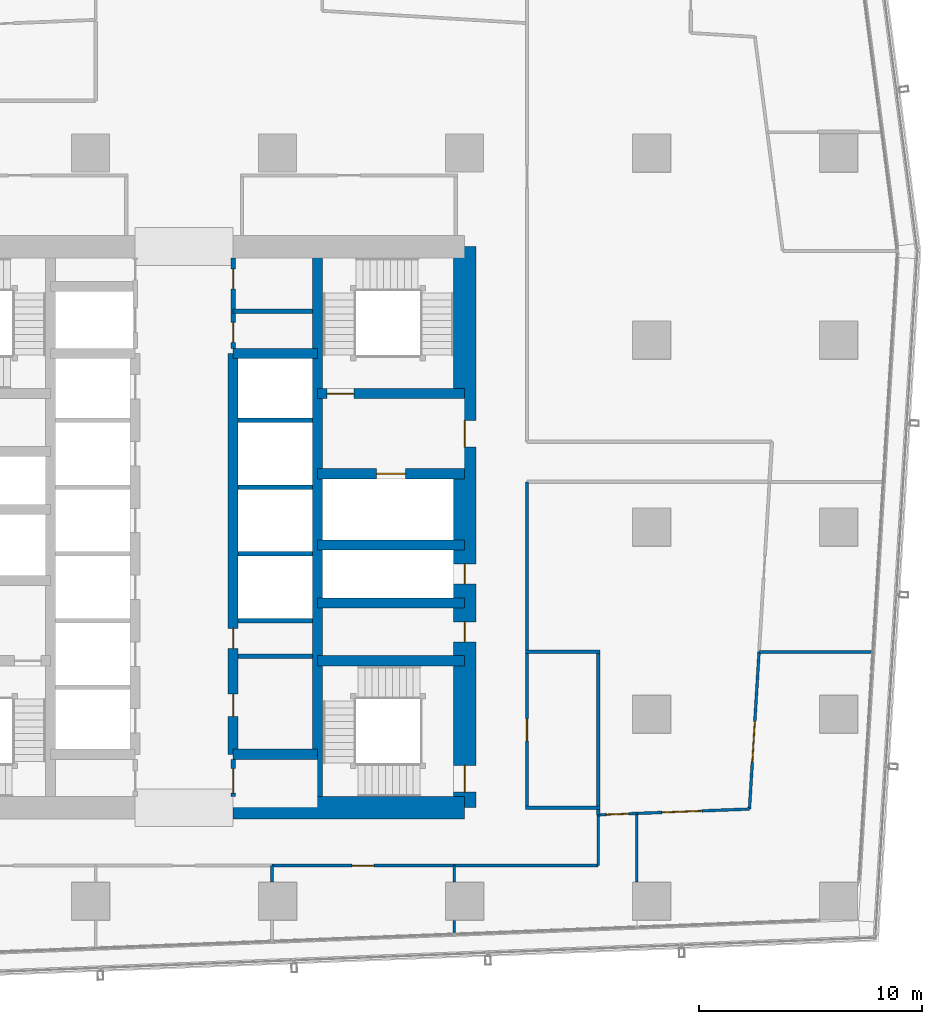
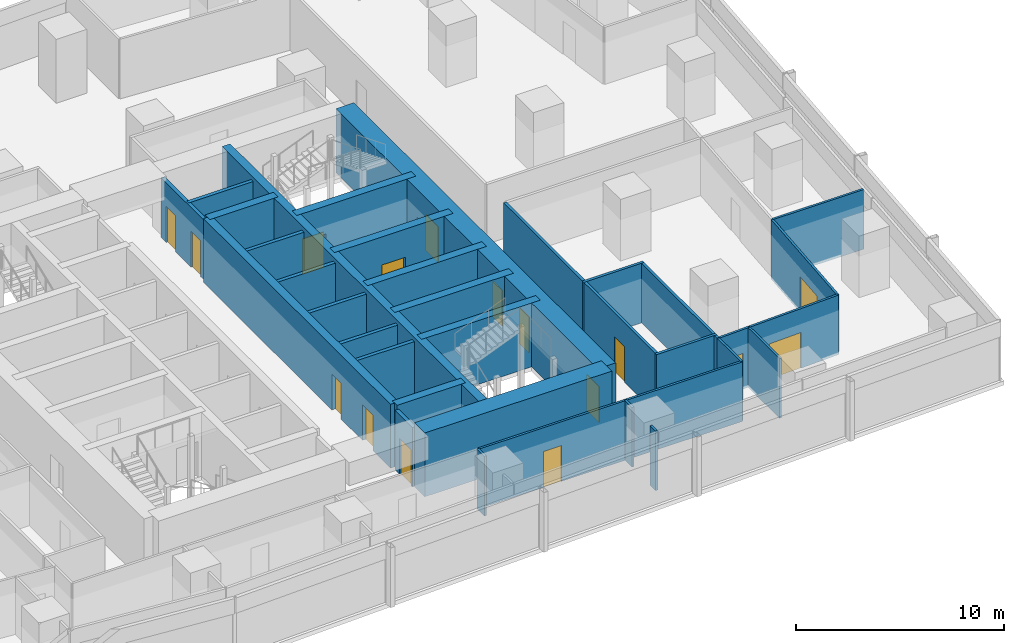
# One storey, part 30 of 40: 36 walls, 16 doors, 16 openings.
"""IFC4 building model written with IfcOpenShell, lengths in metres."""

from ifc_helpers import new_model, si_unit, direction, frame, frame_2d, origin, place, context, subcontext, project, spatial, rectangle, extrude, material, layer, layer_set, type_object, element, fill, save


model = new_model("IFC4")

# Units and contexts
model_context = context("Model", 3, precision=1e-05, world=origin(), true_north=direction((0.0, 1.0)))
body_context = subcontext(model_context, "Body", "Model", "MODEL_VIEW")
ifc_project = project(units=[si_unit("LENGTHUNIT", "METRE"), si_unit("AREAUNIT", "SQUARE_METRE"), si_unit("VOLUMEUNIT", "CUBIC_METRE"), si_unit("PLANEANGLEUNIT", "RADIAN"), si_unit("MASSUNIT", "GRAM", prefix="KILO")], contexts=[model_context])

# Site, building, storey
site_placement = place(None, origin())
site = spatial("IfcSite", under=ifc_project, at=site_placement, CompositionType="ELEMENT")
building_placement = place(site_placement, origin())
building = spatial("IfcBuilding", under=site, at=building_placement, Name="Rekha Terrace Tower", CompositionType="ELEMENT")
storey_placement = place(building_placement, frame((0.0, 0.0, 132.800048828125)))
storey = spatial("IfcBuildingStorey", under=building, at=storey_placement, Name="L33", CompositionType="ELEMENT", Elevation=132.800048828125)

# Wall
ifc_material_1 = material(Name="Concrete M70", Category="concrete")
ifc_layer_1 = layer(ifc_material_1, 0.449951171875)
ifc_layer_set_1 = layer_set([ifc_layer_1], Name="Concrete M70")
wall_type_1 = type_object("IfcWallType", Name="CI2 450 core internal shear wall", PredefinedType="SHEAR", material=ifc_layer_set_1)
wall_1_placement = place(storey_placement, frame((43.800048828125, 21.0, 0.0), z_axis=(0.0, 0.0, 1.0), x_axis=(0.0, 1.0, 0.0)))
element("IfcWall", 1, at=wall_1_placement, inside=storey, type_object=wall_type_1, Name="Core wall X438 L33", PredefinedType="SHEAR", context=body_context, shape_type="SweptSolid", body=[
    extrude(rectangle(XDim=25.199951171875, YDim=0.449951171875, at=frame_2d((12.60009765625, 0.0))), origin(), (0.0, 0.0, 1.0), 3.75),
])

# Wall, openings, doors
wall_2_placement = place(storey_placement, frame((40.0, 23.39990234375, 0.0), z_axis=(0.0, 0.0, 1.0), x_axis=(0.0, 1.0, 0.0)))
wall_2 = element("IfcWall", 2, at=wall_2_placement, inside=storey, type_object=wall_type_1, Name="Core wall X400 L33", PredefinedType="SHEAR", context=body_context, shape_type="SweptSolid", body=[
    extrude(rectangle(XDim=18.0, YDim=0.449951171875, at=frame_2d((9.0, 0.0))), origin(), (0.0, 0.0, 1.0), 3.75),
])
opening_1_placement = place(wall_2_placement, frame((1.699951171875, 0.0, 0.0)))
opening_1 = element("IfcOpeningElement", 3, at=opening_1_placement, cuts=wall_2, Name="Opening D9", PredefinedType="OPENING", context=body_context, shape_type="SweptSolid", body=[
    extrude(rectangle(XDim=1.0, YDim=2.10009765625, at=frame_2d((0.5, 1.050048828125))), frame((0.0, 0.23486328125, 0.0), z_axis=(0.0, -1.0, 0.0), x_axis=(1.0, 0.0, 0.0)), (0.0, 0.0, 1.0), 0.469970703125),
])
opening_2_placement = place(wall_2_placement, frame((4.75, 0.0, 0.0)))
opening_2 = element("IfcOpeningElement", 4, at=opening_2_placement, cuts=wall_2, Name="Opening D5", PredefinedType="OPENING", context=body_context, shape_type="SweptSolid", body=[
    extrude(rectangle(XDim=0.89990234375, YDim=2.10009765625, at=frame_2d((0.449951171875, 1.050048828125))), frame((0.0, 0.23486328125, 0.0), z_axis=(0.0, -1.0, 0.0), x_axis=(1.0, 0.0, 0.0)), (0.0, 0.0, 1.0), 0.469970703125),
])
ifc_material_2 = material(Name="Steel fire door", Category="steel")
door_type_1 = type_object("IfcDoorType", Name="D5 900x2100 riser access door", OperationType="SINGLE_SWING_LEFT", PredefinedType="DOOR", material=ifc_material_2)
door_1_placement = place(opening_2_placement, origin())
door_1 = element("IfcDoor", 5, at=door_1_placement, inside=storey, type_object=door_type_1, Name="Door records store L33", OperationType="SINGLE_SWING_LEFT", OverallHeight=2.10009765625, OverallWidth=0.89990234375, PredefinedType="DOOR", context=body_context, shape_type="SweptSolid", body=[
    extrude(rectangle(XDim=0.89990234375, YDim=2.10009765625, at=frame_2d((0.449951171875, 1.050048828125))), frame((0.0, 0.02490234375, 0.0), z_axis=(0.0, -1.0, 0.0), x_axis=(1.0, 0.0, 0.0)), (0.0, 0.0, 1.0), 0.050048828125),
])
fill(opening_2, door_1)
ifc_material_3 = material(Name="Timber fire door", Category="wood")
door_type_2 = type_object("IfcDoorType", Name="D9 1000x2100 office door", OperationType="SINGLE_SWING_LEFT", PredefinedType="DOOR", material=ifc_material_3)
door_2_placement = place(opening_1_placement, origin())
door_2 = element("IfcDoor", 6, at=door_2_placement, inside=storey, type_object=door_type_2, Name="Door pantry and vending room L33", OperationType="SINGLE_SWING_LEFT", OverallHeight=2.10009765625, OverallWidth=1.0, PredefinedType="DOOR", context=body_context, shape_type="SweptSolid", body=[
    extrude(rectangle(XDim=1.0, YDim=2.10009765625, at=frame_2d((0.5, 1.050048828125))), frame((0.0, 0.02490234375, 0.0), z_axis=(0.0, -1.0, 0.0), x_axis=(1.0, 0.0, 0.0)), (0.0, 0.0, 1.0), 0.050048828125),
])
fill(opening_1, door_2)

# Walls
for number, where, z_axis, x_axis, name in (
    (7, (40.0, 23.39990234375, 0.0), (0.0, 0.0, 1.0), (1.0, 0.0, 0.0), "Core wall Y234E L33"),
    (8, (40.0, 41.39990234375, 0.0), (0.0, 0.0, 1.0), (1.0, 0.0, 0.0), "Core wall Y414E L33"),
):
    element("IfcWall", number, at=place(storey_placement, frame(where, z_axis=z_axis, x_axis=x_axis)), inside=storey, type_object=wall_type_1, Name=name, PredefinedType="SHEAR", context=body_context, shape_type="SweptSolid", body=[
        extrude(rectangle(XDim=3.800048828125, YDim=0.449951171875, at=frame_2d((1.89990234375, 0.0))), origin(), (0.0, 0.0, 1.0), 3.75),
    ])
for number, where, z_axis, x_axis, name in (
    (9, (43.800048828125, 27.60009765625, 0.0), (0.0, 0.0, 1.0), (1.0, 0.0, 0.0), "Core wall Y276E L33"),
    (10, (43.800048828125, 30.199951171875, 0.0), (0.0, 0.0, 1.0), (1.0, 0.0, 0.0), "Core wall Y302E L33"),
    (11, (43.800048828125, 32.800048828125, 0.0), (0.0, 0.0, 1.0), (1.0, 0.0, 0.0), "Core wall Y328E L33"),
):
    element("IfcWall", number, at=place(storey_placement, frame(where, z_axis=z_axis, x_axis=x_axis)), inside=storey, type_object=wall_type_1, Name=name, PredefinedType="SHEAR", context=body_context, shape_type="SweptSolid", body=[
        extrude(rectangle(XDim=6.599853515625, YDim=0.449951171875, at=frame_2d((3.2998046875, 0.0))), origin(), (0.0, 0.0, 1.0), 3.75),
    ])

# Wall, opening, door
wall_3_placement = place(storey_placement, frame((43.800048828125, 36.0, 0.0), z_axis=(0.0, 0.0, 1.0), x_axis=(1.0, 0.0, 0.0)))
wall_3 = element("IfcWall", 12, at=wall_3_placement, inside=storey, type_object=wall_type_1, Name="Core wall Y360E L33", PredefinedType="SHEAR", context=body_context, shape_type="SweptSolid", body=[
    extrude(rectangle(XDim=6.599853515625, YDim=0.449951171875, at=frame_2d((3.2998046875, 0.0))), origin(), (0.0, 0.0, 1.0), 3.75),
])
opening_3_placement = place(wall_3_placement, frame((2.64990234375, 0.0, 0.0)))
opening_3 = element("IfcOpeningElement", 13, at=opening_3_placement, cuts=wall_3, Name="Opening LD2", PredefinedType="OPENING", context=body_context, shape_type="SweptSolid", body=[
    extrude(rectangle(XDim=1.300048828125, YDim=2.10009765625, at=frame_2d((0.64990234375, 1.050048828125))), frame((0.0, 0.23486328125, 0.0), z_axis=(0.0, -1.0, 0.0), x_axis=(1.0, 0.0, 0.0)), (0.0, 0.0, 1.0), 0.469970703125),
])
ifc_material_4 = material(Name="Stainless steel sliding landing door", Category="steel")
door_type_3 = type_object("IfcDoorType", Name="LD2 1300x2100 fire lift landing door", OperationType="SLIDING_TO_LEFT", PredefinedType="USERDEFINED", material=ifc_material_4)
door_3_placement = place(opening_3_placement, origin())
door_3 = element("IfcDoor", 14, at=door_3_placement, inside=storey, type_object=door_type_3, Name="Lift FL2 landing door L33", ObjectType="LIFT LANDING DOOR", OperationType="SLIDING_TO_LEFT", OverallHeight=2.10009765625, OverallWidth=1.300048828125, PredefinedType="USERDEFINED", context=body_context, shape_type="SweptSolid", body=[
    extrude(rectangle(XDim=1.300048828125, YDim=2.10009765625, at=frame_2d((0.64990234375, 1.050048828125))), frame((0.0, 0.02490234375, 0.0), z_axis=(0.0, -1.0, 0.0), x_axis=(1.0, 0.0, 0.0)), (0.0, 0.0, 1.0), 0.050048828125),
])
fill(opening_3, door_3)

wall_4_placement = place(storey_placement, frame((43.800048828125, 39.60009765625, 0.0), z_axis=(0.0, 0.0, 1.0), x_axis=(1.0, 0.0, 0.0)))
wall_4 = element("IfcWall", 15, at=wall_4_placement, inside=storey, type_object=wall_type_1, Name="Core wall Y396E L33", PredefinedType="SHEAR", context=body_context, shape_type="SweptSolid", body=[
    extrude(rectangle(XDim=6.599853515625, YDim=0.449951171875, at=frame_2d((3.2998046875, 0.0))), origin(), (0.0, 0.0, 1.0), 3.75),
])
opening_4_placement = place(wall_4_placement, frame((0.425048828125, 0.0, 0.0)))
opening_4 = element("IfcOpeningElement", 16, at=opening_4_placement, cuts=wall_4, Name="Opening D1", PredefinedType="OPENING", context=body_context, shape_type="SweptSolid", body=[
    extrude(rectangle(XDim=1.199951171875, YDim=2.10009765625, at=frame_2d((0.60009765625, 1.050048828125))), frame((0.0, 0.23486328125, 0.0), z_axis=(0.0, -1.0, 0.0), x_axis=(1.0, 0.0, 0.0)), (0.0, 0.0, 1.0), 0.469970703125),
])
door_type_4 = type_object("IfcDoorType", Name="D1 1200x2100 stair fire door", OperationType="SINGLE_SWING_RIGHT", PredefinedType="DOOR", material=ifc_material_2)
door_4_placement = place(opening_4_placement, origin())
door_4 = element("IfcDoor", 17, at=door_4_placement, inside=storey, type_object=door_type_4, Name="Stair ST2 door L33", OperationType="SINGLE_SWING_RIGHT", OverallHeight=2.10009765625, OverallWidth=1.199951171875, PredefinedType="DOOR", context=body_context, shape_type="SweptSolid", body=[
    extrude(rectangle(XDim=1.199951171875, YDim=2.10009765625, at=frame_2d((0.60009765625, 1.050048828125))), frame((0.0, 0.02490234375, 0.0), z_axis=(0.0, -1.0, 0.0), x_axis=(1.0, 0.0, 0.0)), (0.0, 0.0, 1.0), 0.050048828125),
])
fill(opening_4, door_4)

# Wall
ifc_layer_2 = layer(ifc_material_1, 1.0)
ifc_layer_set_2 = layer_set([ifc_layer_2], Name="Concrete M70")
wall_type_2 = type_object("IfcWallType", Name="SW2 1000 core outer shear wall", PredefinedType="SHEAR", material=ifc_layer_set_2)
wall_5_placement = place(storey_placement, frame((40.0, 21.0, 0.0), z_axis=(0.0, 0.0, 1.0), x_axis=(1.0, 0.0, 0.0)))
element("IfcWall", 18, at=wall_5_placement, inside=storey, type_object=wall_type_2, Name="Core wall S2 L33", PredefinedType="SHEAR", context=body_context, shape_type="SweptSolid", body=[
    extrude(rectangle(XDim=10.39990234375, YDim=1.0, at=frame_2d((5.199951171875, 0.0))), origin(), (0.0, 0.0, 1.0), 3.75),
])

# Wall, openings, doors
wall_6_placement = place(storey_placement, frame((50.39990234375, 21.0, 0.0), z_axis=(0.0, 0.0, 1.0), x_axis=(0.0, 1.0, 0.0)))
wall_6 = element("IfcWall", 19, at=wall_6_placement, inside=storey, type_object=wall_type_2, Name="Core wall E L33", PredefinedType="SHEAR", context=body_context, shape_type="SweptSolid", body=[
    extrude(rectangle(XDim=25.199951171875, YDim=1.0, at=frame_2d((12.60009765625, 0.0))), origin(), (0.0, 0.0, 1.0), 3.75),
])
opening_5_placement = place(wall_6_placement, frame((16.199951171875, 0.0, 0.0)))
opening_5 = element("IfcOpeningElement", 20, at=opening_5_placement, cuts=wall_6, Name="Opening D2", PredefinedType="OPENING", context=body_context, shape_type="SweptSolid", body=[
    extrude(rectangle(XDim=1.199951171875, YDim=2.10009765625, at=frame_2d((0.60009765625, 1.050048828125))), frame((0.0, 0.510009765625, 0.0), z_axis=(0.0, -1.0, 0.0), x_axis=(1.0, 0.0, 0.0)), (0.0, 0.0, 1.0), 1.02001953125),
])
opening_6_placement = place(wall_6_placement, frame((10.050048828125, 0.0, 0.0)))
opening_6 = element("IfcOpeningElement", 21, at=opening_6_placement, cuts=wall_6, Name="Opening D5", PredefinedType="OPENING", context=body_context, shape_type="SweptSolid", body=[
    extrude(rectangle(XDim=0.89990234375, YDim=2.10009765625, at=frame_2d((0.449951171875, 1.050048828125))), frame((0.0, 0.510009765625, 0.0), z_axis=(0.0, -1.0, 0.0), x_axis=(1.0, 0.0, 0.0)), (0.0, 0.0, 1.0), 1.02001953125),
])
opening_7_placement = place(wall_6_placement, frame((7.449951171875, 0.0, 0.0)))
opening_7 = element("IfcOpeningElement", 22, at=opening_7_placement, cuts=wall_6, Name="Opening D5", PredefinedType="OPENING", context=body_context, shape_type="SweptSolid", body=[
    extrude(rectangle(XDim=0.89990234375, YDim=2.10009765625, at=frame_2d((0.449951171875, 1.050048828125))), frame((0.0, 0.510009765625, 0.0), z_axis=(0.0, -1.0, 0.0), x_axis=(1.0, 0.0, 0.0)), (0.0, 0.0, 1.0), 1.02001953125),
])
opening_8_placement = place(wall_6_placement, frame((0.699951171875, 0.0, 0.0)))
opening_8 = element("IfcOpeningElement", 23, at=opening_8_placement, cuts=wall_6, Name="Opening D1", PredefinedType="OPENING", context=body_context, shape_type="SweptSolid", body=[
    extrude(rectangle(XDim=1.199951171875, YDim=2.10009765625, at=frame_2d((0.60009765625, 1.050048828125))), frame((0.0, 0.510009765625, 0.0), z_axis=(0.0, -1.0, 0.0), x_axis=(1.0, 0.0, 0.0)), (0.0, 0.0, 1.0), 1.02001953125),
])
door_5_placement = place(opening_8_placement, origin())
door_5 = element("IfcDoor", 24, at=door_5_placement, inside=storey, type_object=door_type_4, Name="Stair ST3 door L33", OperationType="SINGLE_SWING_RIGHT", OverallHeight=2.10009765625, OverallWidth=1.199951171875, PredefinedType="DOOR", context=body_context, shape_type="SweptSolid", body=[
    extrude(rectangle(XDim=1.199951171875, YDim=2.10009765625, at=frame_2d((0.60009765625, 1.050048828125))), frame((0.0, 0.02490234375, 0.0), z_axis=(0.0, -1.0, 0.0), x_axis=(1.0, 0.0, 0.0)), (0.0, 0.0, 1.0), 0.050048828125),
])
fill(opening_8, door_5)
door_type_5 = type_object("IfcDoorType", Name="D2 1200x2100 firefighting lobby door", OperationType="SINGLE_SWING_LEFT", PredefinedType="DOOR", material=ifc_material_2)
door_6_placement = place(opening_5_placement, origin())
door_6 = element("IfcDoor", 25, at=door_6_placement, inside=storey, type_object=door_type_5, Name="Door flb2 L33", OperationType="SINGLE_SWING_LEFT", OverallHeight=2.10009765625, OverallWidth=1.199951171875, PredefinedType="DOOR", context=body_context, shape_type="SweptSolid", body=[
    extrude(rectangle(XDim=1.199951171875, YDim=2.10009765625, at=frame_2d((0.60009765625, 1.050048828125))), frame((0.0, 0.02490234375, 0.0), z_axis=(0.0, -1.0, 0.0), x_axis=(1.0, 0.0, 0.0)), (0.0, 0.0, 1.0), 0.050048828125),
])
fill(opening_5, door_6)
door_7_placement = place(opening_6_placement, origin())
door_7 = element("IfcDoor", 26, at=door_7_placement, inside=storey, type_object=door_type_1, Name="Door rs2 L33", OperationType="SINGLE_SWING_LEFT", OverallHeight=2.10009765625, OverallWidth=0.89990234375, PredefinedType="DOOR", context=body_context, shape_type="SweptSolid", body=[
    extrude(rectangle(XDim=0.89990234375, YDim=2.10009765625, at=frame_2d((0.449951171875, 1.050048828125))), frame((0.0, 0.02490234375, 0.0), z_axis=(0.0, -1.0, 0.0), x_axis=(1.0, 0.0, 0.0)), (0.0, 0.0, 1.0), 0.050048828125),
])
fill(opening_6, door_7)
door_8_placement = place(opening_7_placement, origin())
door_8 = element("IfcDoor", 27, at=door_8_placement, inside=storey, type_object=door_type_1, Name="Door ele L33", OperationType="SINGLE_SWING_LEFT", OverallHeight=2.10009765625, OverallWidth=0.89990234375, PredefinedType="DOOR", context=body_context, shape_type="SweptSolid", body=[
    extrude(rectangle(XDim=0.89990234375, YDim=2.10009765625, at=frame_2d((0.449951171875, 1.050048828125))), frame((0.0, 0.02490234375, 0.0), z_axis=(0.0, -1.0, 0.0), x_axis=(1.0, 0.0, 0.0)), (0.0, 0.0, 1.0), 0.050048828125),
])
fill(opening_7, door_8)

# Walls
ifc_material_5 = material(Name="Concrete block masonry, 1 hour", Category="masonry")
ifc_layer_3 = layer(ifc_material_5, 0.14990234375)
ifc_layer_set_3 = layer_set([ifc_layer_3], Name="Concrete block masonry, 1 hour")
wall_type_3 = type_object("IfcWallType", Name="WP2 150 tenancy partition", PredefinedType="PARTITIONING", material=ifc_layer_set_3)
for number, where, z_axis, x_axis, name in (
    (28, (53.125, 21.0, 0.0), (0.0, 0.0, 1.0), (1.0, 0.0, 0.0), "Men's WC wall L33"),
    (29, (53.125, 28.0, 0.0), (0.0, 0.0, 1.0), (1.0, 0.0, 0.0), "Men's WC wall L33"),
):
    element("IfcWall", number, at=place(storey_placement, frame(where, z_axis=z_axis, x_axis=x_axis)), inside=storey, type_object=wall_type_3, Name=name, PredefinedType="PARTITIONING", context=body_context, shape_type="SweptSolid", body=[
        extrude(rectangle(XDim=3.35009765625, YDim=0.14990234375, at=frame_2d((1.675048828125, 0.0))), origin(), (0.0, 0.0, 1.0), 3.5),
    ])

# Wall, opening, door
wall_7_placement = place(storey_placement, frame((53.199951171875, 21.074951171875, 0.0), z_axis=(0.0, 0.0, 1.0), x_axis=(0.0, 1.0, 0.0)))
wall_7 = element("IfcWall", 30, at=wall_7_placement, inside=storey, type_object=wall_type_3, Name="Men's WC wall L33", PredefinedType="PARTITIONING", context=body_context, shape_type="SweptSolid", body=[
    extrude(rectangle(XDim=6.85009765625, YDim=0.14990234375, at=frame_2d((3.425048828125, 0.0))), origin(), (0.0, 0.0, 1.0), 3.5),
])
opening_9_placement = place(wall_7_placement, frame((2.925048828125, 0.0, 0.0)))
opening_9 = element("IfcOpeningElement", 31, at=opening_9_placement, cuts=wall_7, Name="Opening D3", PredefinedType="OPENING", context=body_context, shape_type="SweptSolid", body=[
    extrude(rectangle(XDim=1.0, YDim=2.10009765625, at=frame_2d((0.5, 1.050048828125))), frame((0.0, 0.0849609375, 0.0), z_axis=(0.0, -1.0, 0.0), x_axis=(1.0, 0.0, 0.0)), (0.0, 0.0, 1.0), 0.169921875),
])
ifc_material_6 = material(Name="Laminated timber fire door", Category="wood")
door_type_6 = type_object("IfcDoorType", Name="D3 1000x2100 WC door", OperationType="SINGLE_SWING_LEFT", PredefinedType="DOOR", material=ifc_material_6)
door_9_placement = place(opening_9_placement, origin())
door_9 = element("IfcDoor", 32, at=door_9_placement, inside=storey, type_object=door_type_6, Name="Door men's wc L33", OperationType="SINGLE_SWING_LEFT", OverallHeight=2.10009765625, OverallWidth=1.0, PredefinedType="DOOR", context=body_context, shape_type="SweptSolid", body=[
    extrude(rectangle(XDim=1.0, YDim=2.10009765625, at=frame_2d((0.5, 1.050048828125))), frame((0.0, 0.02490234375, 0.0), z_axis=(0.0, -1.0, 0.0), x_axis=(1.0, 0.0, 0.0)), (0.0, 0.0, 1.0), 0.050048828125),
])
fill(opening_9, door_9)

# Walls
wall_8_placement = place(storey_placement, frame((56.39990234375, 21.074951171875, 0.0), z_axis=(0.0, 0.0, 1.0), x_axis=(0.0, 1.0, 0.0)))
element("IfcWall", 33, at=wall_8_placement, inside=storey, type_object=wall_type_3, Name="Men's WC wall L33", PredefinedType="PARTITIONING", context=body_context, shape_type="SweptSolid", body=[
    extrude(rectangle(XDim=6.85009765625, YDim=0.14990234375, at=frame_2d((3.425048828125, 0.0))), origin(), (0.0, 0.0, 1.0), 3.5),
])
wall_9_placement = place(storey_placement, frame((56.39990234375, 20.674072265625, 0.0), z_axis=(0.0, 0.0, 1.0), x_axis=(0.0, 1.0, 0.0)))
element("IfcWall", 34, at=wall_9_placement, inside=storey, type_object=wall_type_3, Name="Partition L33-O1", PredefinedType="PARTITIONING", context=body_context, shape_type="SweptSolid", body=[
    extrude(rectangle(XDim=0.2509765625, YDim=0.14990234375, at=frame_2d((0.12548828125, 0.0))), origin(), (0.0, 0.0, 1.0), 3.5),
])
wall_10_placement = place(storey_placement, frame((53.199951171875, 28.074951171875, 0.0), z_axis=(0.0, 0.0, 1.0), x_axis=(0.0, 1.0, 0.0)))
element("IfcWall", 35, at=wall_10_placement, inside=storey, type_object=wall_type_3, Name="Partition L33-O1", PredefinedType="PARTITIONING", context=body_context, shape_type="SweptSolid", body=[
    extrude(rectangle(XDim=7.56201171875, YDim=0.14990234375, at=frame_2d((3.781005859375, 0.0))), origin(), (0.0, 0.0, 1.0), 3.5),
])

# Wall, opening, door
ifc_material_7 = material(Name="Two layers of fire-rated gypsum board each side on steel studs, acoustic quilt, 1 hour", Category="steel")
ifc_layer_4 = layer(ifc_material_7, 0.125)
ifc_layer_set_4 = layer_set([ifc_layer_4], Name="Two layers of fire-rated gypsum board each side on steel studs, acoustic quilt, 1 hour")
wall_type_4 = type_object("IfcWallType", Name="WP3 125 office partition", PredefinedType="PARTITIONING", material=ifc_layer_set_4)
wall_11_placement = place(storey_placement, frame((41.740966796875, 18.39990234375, 0.0), z_axis=(0.0, 0.0, 1.0), x_axis=(1.0, 0.0, 0.0)))
wall_11 = element("IfcWall", 36, at=wall_11_placement, inside=storey, type_object=wall_type_4, Name="Partition L33-02", PredefinedType="PARTITIONING", context=body_context, shape_type="SweptSolid", body=[
    extrude(rectangle(XDim=8.195068359375, YDim=0.125, at=frame_2d((4.09765625, 0.0))), origin(), (0.0, 0.0, 1.0), 3.5),
])
opening_10_placement = place(wall_11_placement, frame((3.596923828125, 0.0, 0.0)))
opening_10 = element("IfcOpeningElement", 37, at=opening_10_placement, cuts=wall_11, Name="Opening D9", PredefinedType="OPENING", context=body_context, shape_type="SweptSolid", body=[
    extrude(rectangle(XDim=1.0, YDim=2.10009765625, at=frame_2d((0.5, 1.050048828125))), frame((0.0, 0.072509765625, 0.0), z_axis=(0.0, -1.0, 0.0), x_axis=(1.0, 0.0, 0.0)), (0.0, 0.0, 1.0), 0.14501953125),
])
door_10_placement = place(opening_10_placement, origin())
door_10 = element("IfcDoor", 38, at=door_10_placement, inside=storey, type_object=door_type_2, Name="Door meeting room L33", OperationType="SINGLE_SWING_LEFT", OverallHeight=2.10009765625, OverallWidth=1.0, PredefinedType="DOOR", context=body_context, shape_type="SweptSolid", body=[
    extrude(rectangle(XDim=1.0, YDim=2.10009765625, at=frame_2d((0.5, 1.050048828125))), frame((0.0, 0.02490234375, 0.0), z_axis=(0.0, -1.0, 0.0), x_axis=(1.0, 0.0, 0.0)), (0.0, 0.0, 1.0), 0.050048828125),
])
fill(opening_10, door_10)

# Walls
wall_12_placement = place(storey_placement, frame((49.93603515625, 18.39990234375, 0.0), z_axis=(0.0, 0.0, 1.0), x_axis=(0.0, -1.0, 0.0)))
element("IfcWall", 39, at=wall_12_placement, inside=storey, type_object=wall_type_4, Name="Partition L33-02", PredefinedType="PARTITIONING", context=body_context, shape_type="SweptSolid", body=[
    extrude(rectangle(XDim=0.72998046875, YDim=0.125, at=frame_2d((0.364990234375, 0.0))), origin(), (0.0, 0.0, 1.0), 3.5),
])
wall_13_placement = place(storey_placement, frame((49.93603515625, 15.929931640625, 0.0), z_axis=(0.0, 0.0, 1.0), x_axis=(0.0, -1.0, 0.0)))
element("IfcWall", 40, at=wall_13_placement, inside=storey, type_object=wall_type_4, Name="Partition L33-02", PredefinedType="PARTITIONING", context=body_context, shape_type="SweptSolid", body=[
    extrude(rectangle(XDim=0.531005859375, YDim=0.125, at=frame_2d((0.265625, 0.0))), origin(), (0.0, 0.0, 1.0), 3.5),
])
wall_14_placement = place(storey_placement, frame((41.740966796875, 17.669921875, 0.0), z_axis=(0.0, 0.0, 1.0), x_axis=(0.0, 1.0, 0.0)))
element("IfcWall", 41, at=wall_14_placement, inside=storey, type_object=wall_type_4, Name="Partition L33-02", PredefinedType="PARTITIONING", context=body_context, shape_type="SweptSolid", body=[
    extrude(rectangle(XDim=0.72998046875, YDim=0.125, at=frame_2d((0.364990234375, 0.0))), origin(), (0.0, 0.0, 1.0), 3.5),
])
wall_15_placement = place(storey_placement, frame((49.93701171875, 18.39990234375, 0.0), z_axis=(0.0, 0.0, 1.0), x_axis=(1.0, 0.0, 0.0)))
element("IfcWall", 42, at=wall_15_placement, inside=storey, type_object=wall_type_4, Name="Partition L33-03", PredefinedType="PARTITIONING", context=body_context, shape_type="SweptSolid", body=[
    extrude(rectangle(XDim=6.462890625, YDim=0.125, at=frame_2d((3.2314453125, 0.0))), origin(), (0.0, 0.0, 1.0), 3.5),
])
wall_16_placement = place(storey_placement, frame((56.39990234375, 18.39990234375, 0.0), z_axis=(0.0, 0.0, 1.0), x_axis=(0.0, 1.0, 0.0)))
element("IfcWall", 43, at=wall_16_placement, inside=storey, type_object=wall_type_4, Name="Partition L33-03", PredefinedType="PARTITIONING", context=body_context, shape_type="SweptSolid", body=[
    extrude(rectangle(XDim=2.274169921875, YDim=0.125, at=frame_2d((1.13720703125, 0.0))), origin(), (0.0, 0.0, 1.0), 3.5),
])

# Wall, opening, door
wall_17_placement = place(storey_placement, frame((56.39990234375, 20.674072265625, 0.0), z_axis=(0.0, 0.0, 1.0), x_axis=(0.999234110548, 0.039130452561, 0.0)))
wall_17 = element("IfcWall", 44, at=wall_17_placement, inside=storey, type_object=wall_type_4, Name="Partition L33-03", PredefinedType="PARTITIONING", context=body_context, shape_type="SweptSolid", body=[
    extrude(rectangle(XDim=1.734375, YDim=0.125, at=frame_2d((0.8671875, 0.0))), origin(), (0.0, 0.0, 1.0), 3.5),
])
opening_11_placement = place(wall_17_placement, frame((0.366943359375, 0.0, 0.0)))
opening_11 = element("IfcOpeningElement", 45, at=opening_11_placement, cuts=wall_17, Name="Opening D9", PredefinedType="OPENING", context=body_context, shape_type="SweptSolid", body=[
    extrude(rectangle(XDim=1.0, YDim=2.10009765625, at=frame_2d((0.5, 1.050048828125))), frame((0.0, 0.072509765625, 0.0), z_axis=(0.0, -1.0, 0.0), x_axis=(1.0, 0.0, 0.0)), (0.0, 0.0, 1.0), 0.14501953125),
])
door_11_placement = place(opening_11_placement, origin())
door_11 = element("IfcDoor", 46, at=door_11_placement, inside=storey, type_object=door_type_2, Name="Door pantry L33", OperationType="SINGLE_SWING_LEFT", OverallHeight=2.10009765625, OverallWidth=1.0, PredefinedType="DOOR", context=body_context, shape_type="SweptSolid", body=[
    extrude(rectangle(XDim=1.0, YDim=2.10009765625, at=frame_2d((0.5, 1.050048828125))), frame((0.0, 0.02490234375, 0.0), z_axis=(0.0, -1.0, 0.0), x_axis=(1.0, 0.0, 0.0)), (0.0, 0.0, 1.0), 0.050048828125),
])
fill(opening_11, door_11)

# Wall
wall_18_placement = place(storey_placement, frame((58.133056640625, 20.741943359375, 0.0), z_axis=(0.0, 0.0, 1.0), x_axis=(0.0, -1.0, 0.0)))
element("IfcWall", 47, at=wall_18_placement, inside=storey, type_object=wall_type_4, Name="Partition L33-03", PredefinedType="PARTITIONING", context=body_context, shape_type="SweptSolid", body=[
    extrude(rectangle(XDim=3.072021484375, YDim=0.125, at=frame_2d((1.5361328125, 0.0))), origin(), (0.0, 0.0, 1.0), 3.5),
])

# Wall, opening, door
wall_19_placement = place(storey_placement, frame((58.134033203125, 20.741943359375, 0.0), z_axis=(0.0, 0.0, 1.0), x_axis=(0.999242539351, 0.038914618727, 0.0)))
wall_19 = element("IfcWall", 48, at=wall_19_placement, inside=storey, type_object=wall_type_4, Name="Partition L33-04", PredefinedType="PARTITIONING", context=body_context, shape_type="SweptSolid", body=[
    extrude(rectangle(XDim=5.06298828125, YDim=0.125, at=frame_2d((2.531494140625, 0.0))), origin(), (0.0, 0.0, 1.0), 3.5),
])
opening_12_placement = place(wall_19_placement, frame((1.1298828125, 0.0, 0.0)))
opening_12 = element("IfcOpeningElement", 49, at=opening_12_placement, cuts=wall_19, Name="Opening D8", PredefinedType="OPENING", context=body_context, shape_type="SweptSolid", body=[
    extrude(rectangle(XDim=1.800048828125, YDim=2.10009765625, at=frame_2d((0.89990234375, 1.050048828125))), frame((0.0, 0.072509765625, 0.0), z_axis=(0.0, -1.0, 0.0), x_axis=(1.0, 0.0, 0.0)), (0.0, 0.0, 1.0), 0.14501953125),
])
door_type_7 = type_object("IfcDoorType", Name="D8 1800x2100 double leaf door", OperationType="DOUBLE_DOOR_SINGLE_SWING", PredefinedType="DOOR", material=ifc_material_3)
door_12_placement = place(opening_12_placement, origin())
door_12 = element("IfcDoor", 50, at=door_12_placement, inside=storey, type_object=door_type_7, Name="Door board meeting room L33", OperationType="DOUBLE_DOOR_SINGLE_SWING", OverallHeight=2.10009765625, OverallWidth=1.800048828125, PredefinedType="DOOR", context=body_context, shape_type="SweptSolid", body=[
    extrude(rectangle(XDim=1.800048828125, YDim=2.10009765625, at=frame_2d((0.89990234375, 1.050048828125))), frame((0.0, 0.02490234375, 0.0), z_axis=(0.0, -1.0, 0.0), x_axis=(1.0, 0.0, 0.0)), (0.0, 0.0, 1.0), 0.050048828125),
])
fill(opening_12, door_12)

wall_20_placement = place(storey_placement, frame((63.193115234375, 20.93896484375, 0.0), z_axis=(0.0, 0.0, 1.0), x_axis=(0.061084086736, 0.998132623627, 0.0)))
wall_20 = element("IfcWall", 51, at=wall_20_placement, inside=storey, type_object=wall_type_4, Name="Partition L33-04", PredefinedType="PARTITIONING", context=body_context, shape_type="SweptSolid", body=[
    extrude(rectangle(XDim=7.0703125, YDim=0.125, at=frame_2d((3.53515625, 0.0))), origin(), (0.0, 0.0, 1.0), 3.5),
])
opening_13_placement = place(wall_20_placement, frame((2.133056640625, 0.0, 0.0)))
opening_13 = element("IfcOpeningElement", 52, at=opening_13_placement, cuts=wall_20, Name="Opening D8", PredefinedType="OPENING", context=body_context, shape_type="SweptSolid", body=[
    extrude(rectangle(XDim=1.800048828125, YDim=2.10009765625, at=frame_2d((0.89990234375, 1.050048828125))), frame((0.0, 0.072509765625, 0.0), z_axis=(0.0, -1.0, 0.0), x_axis=(1.0, 0.0, 0.0)), (0.0, 0.0, 1.0), 0.14501953125),
])
door_13_placement = place(opening_13_placement, origin())
door_13 = element("IfcDoor", 53, at=door_13_placement, inside=storey, type_object=door_type_7, Name="Door board meeting room L33", OperationType="DOUBLE_DOOR_SINGLE_SWING", OverallHeight=2.10009765625, OverallWidth=1.800048828125, PredefinedType="DOOR", context=body_context, shape_type="SweptSolid", body=[
    extrude(rectangle(XDim=1.800048828125, YDim=2.10009765625, at=frame_2d((0.89990234375, 1.050048828125))), frame((0.0, 0.02490234375, 0.0), z_axis=(0.0, -1.0, 0.0), x_axis=(1.0, 0.0, 0.0)), (0.0, 0.0, 1.0), 0.050048828125),
])
fill(opening_13, door_13)

# Walls
wall_21_placement = place(storey_placement, frame((63.625, 27.99609375, 0.0), z_axis=(0.0, 0.0, 1.0), x_axis=(1.0, 0.0, 0.0)))
element("IfcWall", 54, at=wall_21_placement, inside=storey, type_object=wall_type_4, Name="Partition L33-04", PredefinedType="PARTITIONING", context=body_context, shape_type="SweptSolid", body=[
    extrude(rectangle(XDim=5.05908203125, YDim=0.125, at=frame_2d((2.529541015625, 0.0))), origin(), (0.0, 0.0, 1.0), 3.5),
])
ifc_material_8 = material(Name="Solid concrete block masonry, 2 hour", Category="masonry")
ifc_layer_5 = layer(ifc_material_8, 0.199951171875)
ifc_layer_set_5 = layer_set([ifc_layer_5], Name="Solid concrete block masonry, 2 hour")
wall_type_5 = type_object("IfcWallType", Name="WS1 200 stair and shaft enclosure", PredefinedType="PARTITIONING", material=ifc_layer_set_5)
for number, where, z_axis, x_axis, name in (
    (55, (40.22509765625, 29.39990234375, 0.0), (0.0, 0.0, 1.0), (1.0, 0.0, 0.0), "Lift shaft divider L33"),
    (56, (40.22509765625, 32.39990234375, 0.0), (0.0, 0.0, 1.0), (1.0, 0.0, 0.0), "Lift shaft divider L33"),
    (57, (40.22509765625, 35.39990234375, 0.0), (0.0, 0.0, 1.0), (1.0, 0.0, 0.0), "Lift shaft divider L33"),
    (58, (40.22509765625, 38.39990234375, 0.0), (0.0, 0.0, 1.0), (1.0, 0.0, 0.0), "Lift shaft divider L33"),
):
    element("IfcWall", number, at=place(storey_placement, frame(where, z_axis=z_axis, x_axis=x_axis)), inside=storey, type_object=wall_type_5, Name=name, PredefinedType="PARTITIONING", context=body_context, shape_type="SweptSolid", body=[
        extrude(rectangle(XDim=3.349853515625, YDim=0.199951171875, at=frame_2d((1.6748046875, 0.0))), origin(), (0.0, 0.0, 1.0), 3.5),
    ])

# Wall, opening, door
wall_22_placement = place(storey_placement, frame((40.0, 21.5, 0.0), z_axis=(0.0, 0.0, 1.0), x_axis=(0.0, 1.0, 0.0)))
wall_22 = element("IfcWall", 59, at=wall_22_placement, inside=storey, type_object=wall_type_5, Name="Core partition wca L33", PredefinedType="PARTITIONING", context=body_context, shape_type="SweptSolid", body=[
    extrude(rectangle(XDim=1.675048828125, YDim=0.199951171875, at=frame_2d((0.83740234375, 0.0))), origin(), (0.0, 0.0, 1.0), 3.5),
])
opening_14_placement = place(wall_22_placement, frame((0.14990234375, 0.0, 0.0)))
opening_14 = element("IfcOpeningElement", 60, at=opening_14_placement, cuts=wall_22, Name="Opening D4", PredefinedType="OPENING", context=body_context, shape_type="SweptSolid", body=[
    extrude(rectangle(XDim=1.10009765625, YDim=2.10009765625, at=frame_2d((0.550048828125, 1.050048828125))), frame((0.0, 0.10986328125, 0.0), z_axis=(0.0, -1.0, 0.0), x_axis=(1.0, 0.0, 0.0)), (0.0, 0.0, 1.0), 0.219970703125),
])
door_type_8 = type_object("IfcDoorType", Name="D4 1100x2100 accessible WC door", OperationType="SLIDING_TO_LEFT", PredefinedType="DOOR", material=ifc_material_6)
door_14_placement = place(opening_14_placement, origin())
door_14 = element("IfcDoor", 61, at=door_14_placement, inside=storey, type_object=door_type_8, Name="Door wca L33", OperationType="SLIDING_TO_LEFT", OverallHeight=2.10009765625, OverallWidth=1.10009765625, PredefinedType="DOOR", context=body_context, shape_type="SweptSolid", body=[
    extrude(rectangle(XDim=1.10009765625, YDim=2.10009765625, at=frame_2d((0.550048828125, 1.050048828125))), frame((0.0, 0.02490234375, 0.0), z_axis=(0.0, -1.0, 0.0), x_axis=(1.0, 0.0, 0.0)), (0.0, 0.0, 1.0), 0.050048828125),
])
fill(opening_14, door_14)

# Wall, openings, doors
wall_23_placement = place(storey_placement, frame((40.0, 41.625, 0.0), z_axis=(0.0, 0.0, 1.0), x_axis=(0.0, 1.0, 0.0)))
wall_23 = element("IfcWall", 62, at=wall_23_placement, inside=storey, type_object=wall_type_5, Name="Core partition elec L33", PredefinedType="PARTITIONING", context=body_context, shape_type="SweptSolid", body=[
    extrude(rectangle(XDim=4.074951171875, YDim=0.199951171875, at=frame_2d((2.03759765625, 0.0))), origin(), (0.0, 0.0, 1.0), 3.5),
])
opening_15_placement = place(wall_23_placement, frame((2.675048828125, 0.0, 0.0)))
opening_15 = element("IfcOpeningElement", 63, at=opening_15_placement, cuts=wall_23, Name="Opening D5", PredefinedType="OPENING", context=body_context, shape_type="SweptSolid", body=[
    extrude(rectangle(XDim=0.89990234375, YDim=2.10009765625, at=frame_2d((0.449951171875, 1.050048828125))), frame((0.0, 0.10986328125, 0.0), z_axis=(0.0, -1.0, 0.0), x_axis=(1.0, 0.0, 0.0)), (0.0, 0.0, 1.0), 0.219970703125),
])
opening_16_placement = place(wall_23_placement, frame((0.27490234375, 0.0, 0.0)))
opening_16 = element("IfcOpeningElement", 64, at=opening_16_placement, cuts=wall_23, Name="Opening D5", PredefinedType="OPENING", context=body_context, shape_type="SweptSolid", body=[
    extrude(rectangle(XDim=0.89990234375, YDim=2.10009765625, at=frame_2d((0.449951171875, 1.050048828125))), frame((0.0, 0.10986328125, 0.0), z_axis=(0.0, -1.0, 0.0), x_axis=(1.0, 0.0, 0.0)), (0.0, 0.0, 1.0), 0.219970703125),
])
door_15_placement = place(opening_15_placement, origin())
door_15 = element("IfcDoor", 65, at=door_15_placement, inside=storey, type_object=door_type_1, Name="Door electrical room L33", OperationType="SINGLE_SWING_LEFT", OverallHeight=2.10009765625, OverallWidth=0.89990234375, PredefinedType="DOOR", context=body_context, shape_type="SweptSolid", body=[
    extrude(rectangle(XDim=0.89990234375, YDim=2.10009765625, at=frame_2d((0.449951171875, 1.050048828125))), frame((0.0, 0.02490234375, 0.0), z_axis=(0.0, -1.0, 0.0), x_axis=(1.0, 0.0, 0.0)), (0.0, 0.0, 1.0), 0.050048828125),
])
fill(opening_15, door_15)
door_16_placement = place(opening_16_placement, origin())
door_16 = element("IfcDoor", 66, at=door_16_placement, inside=storey, type_object=door_type_1, Name="Door stationery store L33", OperationType="SINGLE_SWING_LEFT", OverallHeight=2.10009765625, OverallWidth=0.89990234375, PredefinedType="DOOR", context=body_context, shape_type="SweptSolid", body=[
    extrude(rectangle(XDim=0.89990234375, YDim=2.10009765625, at=frame_2d((0.449951171875, 1.050048828125))), frame((0.0, 0.02490234375, 0.0), z_axis=(0.0, -1.0, 0.0), x_axis=(1.0, 0.0, 0.0)), (0.0, 0.0, 1.0), 0.050048828125),
])
fill(opening_16, door_16)

# Walls
wall_24_placement = place(storey_placement, frame((40.22509765625, 27.800048828125, 0.0), z_axis=(0.0, 0.0, 1.0), x_axis=(1.0, 0.0, 0.0)))
element("IfcWall", 67, at=wall_24_placement, inside=storey, type_object=wall_type_5, Name="Core partition freed shafts L33", PredefinedType="PARTITIONING", context=body_context, shape_type="SweptSolid", body=[
    extrude(rectangle(XDim=3.349853515625, YDim=0.199951171875, at=frame_2d((1.6748046875, 0.0))), origin(), (0.0, 0.0, 1.0), 3.5),
])
wall_25_placement = place(storey_placement, frame((40.0, 43.300048828125, 0.0), z_axis=(0.0, 0.0, 1.0), x_axis=(1.0, 0.0, 0.0)))
element("IfcWall", 68, at=wall_25_placement, inside=storey, type_object=wall_type_5, Name="Core partition elx L33", PredefinedType="PARTITIONING", context=body_context, shape_type="SweptSolid", body=[
    extrude(rectangle(XDim=3.574951171875, YDim=0.199951171875, at=frame_2d((1.78759765625, 0.0))), origin(), (0.0, 0.0, 1.0), 3.5),
])

save(model, "model.ifc")
